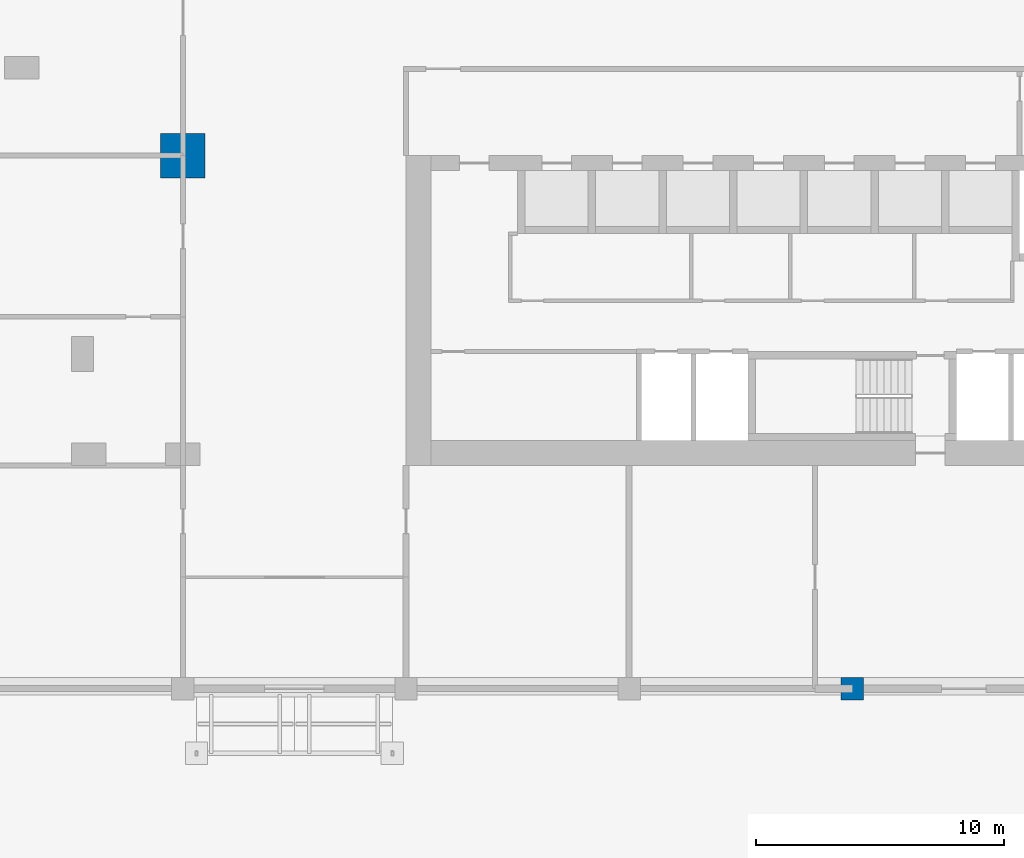
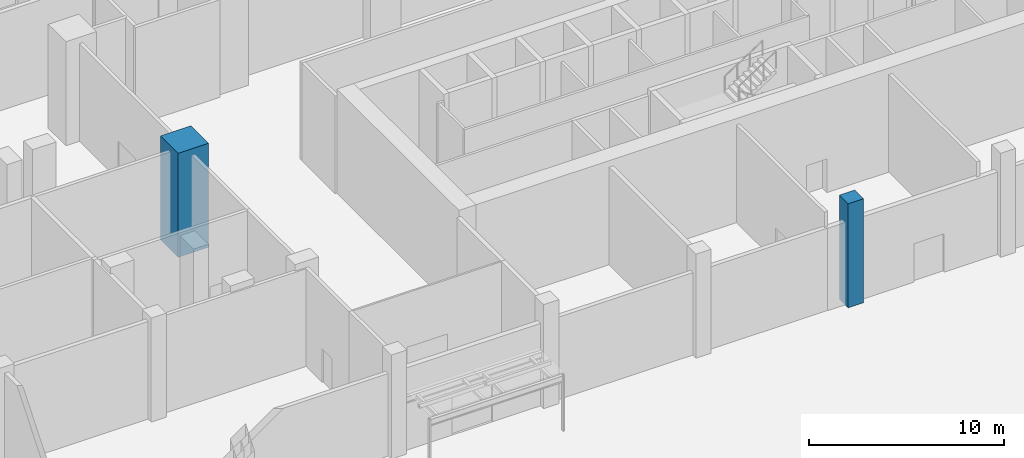
# One storey, part 5 of 39: 2 columns.
"""IFC4 building model written with IfcOpenShell, lengths in metres."""

from ifc_helpers import new_model, si_unit, direction, frame, origin, origin_2d, place, context, subcontext, project, spatial, rectangle, extrude, material, material_profile, profile_set, type_object, element, save


model = new_model("IFC4")

# Units and contexts
model_context = context("Model", 3, precision=1e-05, world=origin(), true_north=direction((0.0, 1.0)))
body_context = subcontext(model_context, "Body", "Model", "MODEL_VIEW")
ifc_project = project(units=[si_unit("LENGTHUNIT", "METRE"), si_unit("AREAUNIT", "SQUARE_METRE"), si_unit("VOLUMEUNIT", "CUBIC_METRE"), si_unit("PLANEANGLEUNIT", "RADIAN"), si_unit("MASSUNIT", "GRAM", prefix="KILO")], contexts=[model_context])

# Site, building, storey
site_placement = place(None, origin())
site = spatial("IfcSite", under=ifc_project, at=site_placement, CompositionType="ELEMENT")
building_placement = place(site_placement, origin())
building = spatial("IfcBuilding", under=site, at=building_placement, Name="Brigalow Station Residences", CompositionType="ELEMENT")
storey_placement = place(building_placement, origin())
storey = spatial("IfcBuildingStorey", under=building, at=storey_placement, Name="L00", CompositionType="ELEMENT", Elevation=0.0)

# Columns
ifc_material_1 = material(Name="Concrete C80", Category="concrete")
ifc_material_profile_1 = material_profile(ifc_material_1, rectangle(XDim=1.800048828125, YDim=1.800048828125, at=origin_2d()), Name="RC1800x1800")
ifc_profile_set_1 = profile_set([ifc_material_profile_1], Name="Concrete C80")
column_type_1 = type_object("IfcColumnType", Name="COLUMN 1800x1800 C80", PredefinedType="COLUMN", material=ifc_profile_set_1)
column_1_placement = place(storey_placement, frame((9.0, 12.5, 0.0), z_axis=(0.0, 0.0, 1.0), x_axis=(1.0, 0.0, 0.0)))
element("IfcColumn", 1, at=column_1_placement, inside=storey, type_object=column_type_1, Name="COLUMN B1 L00", PredefinedType="COLUMN", context=body_context, shape_type="SweptSolid", body=[
    extrude(rectangle(XDim=1.800048828125, YDim=1.800048828125, at=origin_2d()), origin(), (0.0, 0.0, 1.0), 6.5),
])
ifc_material_2 = material(Name="Concrete C50", Category="concrete")
ifc_material_profile_2 = material_profile(ifc_material_2, rectangle(XDim=0.89990234375, YDim=0.89990234375, at=origin_2d()), Name="RC900x900")
ifc_profile_set_2 = profile_set([ifc_material_profile_2], Name="Concrete C50")
column_type_2 = type_object("IfcColumnType", Name="COLUMN 900x900 C50", PredefinedType="COLUMN", material=ifc_profile_set_2)
column_2_placement = place(storey_placement, frame((36.0, -9.0, 0.0), z_axis=(0.0, 0.0, 1.0), x_axis=(1.0, 0.0, 0.0)))
element("IfcColumn", 2, at=column_2_placement, inside=storey, type_object=column_type_2, Name="COLUMN Z4 L00", PredefinedType="COLUMN", context=body_context, shape_type="SweptSolid", body=[
    extrude(rectangle(XDim=0.89990234375, YDim=0.89990234375, at=origin_2d()), origin(), (0.0, 0.0, 1.0), 6.5),
])

save(model, "model.ifc")
